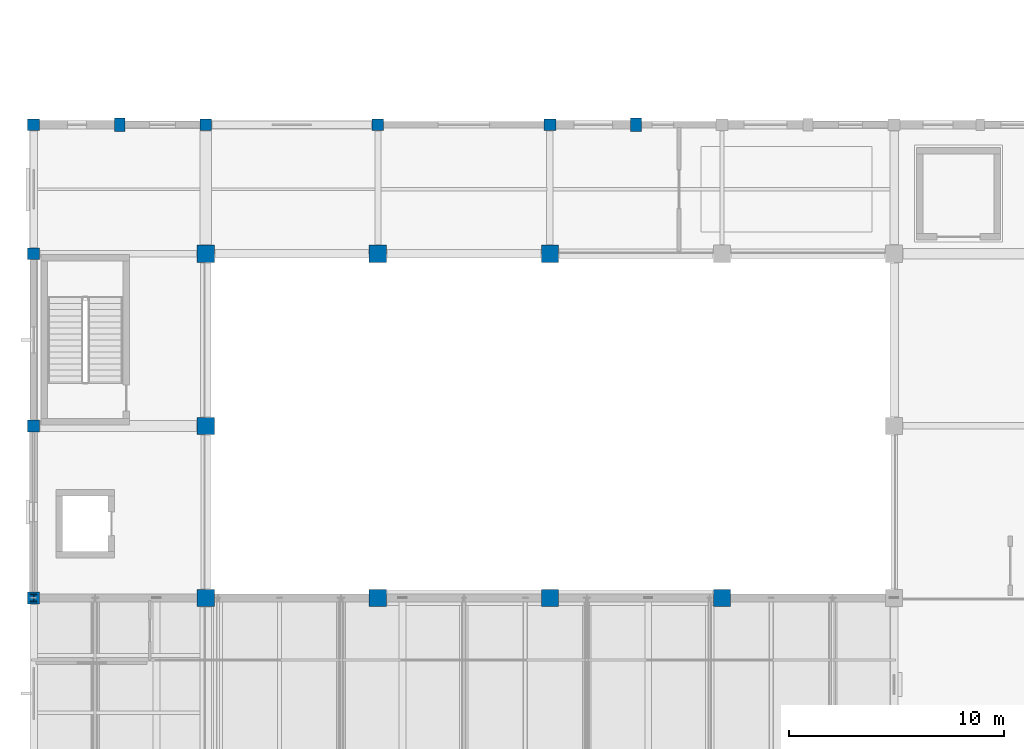
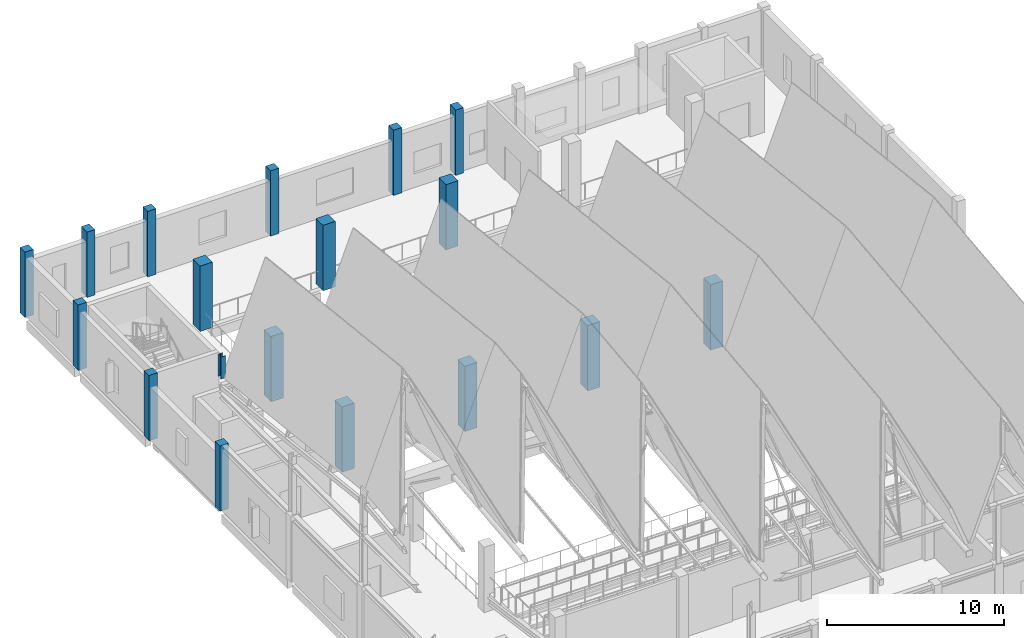
# One storey, part 5 of 77: 18 columns.
"""IFC4 building model written with IfcOpenShell, lengths in metres."""

import ifcopenshell
import ifcopenshell.guid

model = None  # the IFC model being written
_history = None  # IfcOwnerHistory: only IFC2X3 demands one
_inside = {}  # id of a spatial element -> (the spatial element, [elements in it])
_under = {}  # id of a project, library or spatial element -> (it, [spatial elements below it])
_declared = {}  # id of a project -> (the project, [libraries it declares])
_typed = {}  # id of a type object -> (the type object, [elements of that type])
_made_of = {}  # id of a material, layer set ... -> (it, [elements and type objects made of it])


def new_model(schema):
    """Start an empty IFC model of exactly this schema.

    Asked for "IFC4X3", IfcOpenShell would pick the latest addendum, in which some entities
    have other attributes; the version numbers below select the first issue.
    IFC2X3 requires an IfcOwnerHistory on every rooted entity: one is made here for all.
    """
    global model, _history
    if schema == "IFC4X3":
        model = ifcopenshell.file(schema_version=(4, 3, 0, 0))
    else:
        model = ifcopenshell.file(schema=schema)
    _inside.clear()
    _under.clear()
    _declared.clear()
    _typed.clear()
    _made_of.clear()
    _history = None
    if model.schema == "IFC2X3":
        org = make("IfcOrganization", Name="unknown")
        user = make(
            "IfcPersonAndOrganization",
            ThePerson=make("IfcPerson", FamilyName="unknown"),
            TheOrganization=org,
        )
        app = make(
            "IfcApplication",
            ApplicationDeveloper=org,
            Version="unknown",
            ApplicationFullName="unknown",
            ApplicationIdentifier="unknown",
        )
        _history = make(
            "IfcOwnerHistory",
            OwningUser=user,
            OwningApplication=app,
            ChangeAction="ADDED",
            CreationDate=0,
        )
    return model


def make(cls, **values):
    """One entity of the class cls with the attributes given. An attribute that is None is left unset."""
    return model.create_entity(
        cls, **{name: value for name, value in values.items() if value is not None}
    )


def rooted(cls, **values):
    """An entity with a GlobalId (a new one), such as an element, a storey or a relation."""
    return make(cls, GlobalId=ifcopenshell.guid.new(), OwnerHistory=_history, **values)


def si_unit(unit_type, name, prefix=None):
    """IfcSIUnit, for example si_unit("LENGTHUNIT", "METRE", prefix="MILLI")."""
    return make("IfcSIUnit", UnitType=unit_type, Prefix=prefix, Name=name)


def assignment(units):
    """IfcUnitAssignment: the units of a project."""
    return None if units is None else make("IfcUnitAssignment", Units=units)


def point(xyz):
    """IfcCartesianPoint."""
    return None if xyz is None else make("IfcCartesianPoint", Coordinates=xyz)


def direction(xyz):
    """IfcDirection."""
    return None if xyz is None else make("IfcDirection", DirectionRatios=xyz)


def frame(location, z_axis=None, x_axis=None):
    """IfcAxis2Placement3D, a coordinate frame: its origin and axes. An axis left out is left unset."""
    return make(
        "IfcAxis2Placement3D",
        Location=point(location),
        Axis=direction(z_axis),
        RefDirection=direction(x_axis),
    )


def frame_2d(location, x_axis=None):
    """IfcAxis2Placement2D, a coordinate frame in the plane: its origin and x axis."""
    return make(
        "IfcAxis2Placement2D", Location=point(location), RefDirection=direction(x_axis)
    )


def origin():
    """The frame at (0, 0, 0) with its axes left unset."""
    return frame((0.0, 0.0, 0.0))


def origin_2d():
    """The frame at (0, 0) in the plane with its x axis left unset."""
    return frame_2d((0.0, 0.0))


def place(relative_to, where):
    """IfcLocalPlacement: puts the frame where relative to a parent placement (None: the world)."""
    return make(
        "IfcLocalPlacement", PlacementRelTo=relative_to, RelativePlacement=where
    )


def context(
    kind, dimensions, precision=None, world=None, true_north=None, identifier=None
):
    """IfcGeometricRepresentationContext, for example the 3D "Model" context."""
    return make(
        "IfcGeometricRepresentationContext",
        ContextIdentifier=identifier,
        ContextType=kind,
        CoordinateSpaceDimension=dimensions,
        Precision=precision,
        WorldCoordinateSystem=world,
        TrueNorth=true_north,
    )


def subcontext(parent, identifier, kind, view, scale=None):
    """IfcGeometricRepresentationSubContext, for example "Body" below "Model"."""
    return make(
        "IfcGeometricRepresentationSubContext",
        ContextIdentifier=identifier,
        ContextType=kind,
        ParentContext=parent,
        TargetScale=scale,
        TargetView=view,
    )


def project(units=None, contexts=None):
    """IfcProject with its units and contexts."""
    return rooted(
        "IfcProject",
        Name="project",
        RepresentationContexts=contexts,
        UnitsInContext=assignment(units),
    )


def spatial(cls, under=None, at=None, **own):
    """A site, building, storey or space (cls), placed at a placement, below another one or the project."""
    s = rooted(cls, ObjectPlacement=at, **own)
    if under is not None:
        _under.setdefault(under.id(), (under, []))[1].append(s)
    return s


def profile(cls, at=None, kind="AREA", **sizes):
    """A parametric profile (cls). Its sizes go by their IFC names, for example OverallWidth=200.0."""
    return make(cls, ProfileType=kind, Position=at, **sizes)


def rectangle(**sizes):
    """IfcRectangleProfileDef."""
    return profile("IfcRectangleProfileDef", **sizes)


def i_section(**sizes):
    """IfcIShapeProfileDef."""
    return profile("IfcIShapeProfileDef", **sizes)


def extrude(swept, where, along, depth):
    """IfcExtrudedAreaSolid: the profile swept, set in the frame where, extruded along a direction by depth."""
    return make(
        "IfcExtrudedAreaSolid",
        SweptArea=swept,
        Position=where,
        ExtrudedDirection=direction(along),
        Depth=depth,
    )


def shape(context_of_items, identifier, shape_type, items):
    """IfcShapeRepresentation: the items that make up one representation, for example the "Body"."""
    return make(
        "IfcShapeRepresentation",
        ContextOfItems=context_of_items,
        RepresentationIdentifier=identifier,
        RepresentationType=shape_type,
        Items=items,
    )


def material(Name=None, Category=None):
    """IfcMaterial."""
    return make("IfcMaterial", Name=Name, Category=Category)


def material_profile(
    of_material, cross_section, Name=None, Category=None, Priority=None
):
    """IfcMaterialProfile: a cross section and its material."""
    return make(
        "IfcMaterialProfile",
        Name=Name,
        Material=of_material,
        Profile=cross_section,
        Priority=Priority,
        Category=Category,
    )


def profile_set(profiles, Name=None, composite=None):
    """IfcMaterialProfileSet."""
    return make(
        "IfcMaterialProfileSet",
        Name=Name,
        MaterialProfiles=profiles,
        CompositeProfile=composite,
    )


def made_of(thing, what):
    """Note that an element or type object is made of a material, layer set ...; save() writes the relation."""
    if what is not None:
        _made_of.setdefault(what.id(), (what, []))[1].append(thing)
    return thing


def type_object(cls, material=None, **own):
    """A type object (cls), such as IfcWallType, which elements share."""
    return made_of(rooted(cls, **own), material)


def element(
    cls,
    number,
    at=None,
    inside=None,
    cuts=None,
    type_object=None,
    material=None,
    context=None,
    identifier="Body",
    shape_type=None,
    held_by="IfcProductDefinitionShape",
    body=None,
    shapes=None,
    **own,
):
    """One element of the class cls, such as IfcWall. Its Tag is "e" and its number.

    at: its placement. inside: the storey or other place that contains it. cuts: it is an
    opening in that element (IfcRelVoidsElement). A single representation is given by context,
    identifier, shape_type and body (its items); several are given by shapes. held_by: the class
    of the entity that holds the representations. save() writes the other relations.
    """
    e = rooted(cls, Tag="e%d" % number, ObjectPlacement=at, **own)
    if body is not None:
        shapes = [shape(context, identifier, shape_type, body)]
    if shapes is not None:
        e.Representation = make(held_by, Representations=shapes)
    if inside is not None:
        _inside.setdefault(inside.id(), (inside, []))[1].append(e)
    if cuts is not None:
        rooted(
            "IfcRelVoidsElement", RelatingBuildingElement=cuts, RelatedOpeningElement=e
        )
    if type_object is not None:
        _typed.setdefault(type_object.id(), (type_object, []))[1].append(e)
    return made_of(e, material)


def aggregate(whole, parts):
    """IfcRelAggregates: a whole, such as a stair, and the parts it consists of."""
    return rooted("IfcRelAggregates", RelatingObject=whole, RelatedObjects=parts)


def save(model, path):
    """Write the relations noted so far, then the file.

    IfcRelAggregates (storeys below a building ...), IfcRelContainedInSpatialStructure (elements
    in a storey), IfcRelDefinesByType, IfcRelAssociatesMaterial and IfcRelDeclares: one each for
    every whole, place, type object, material and project.
    """
    for whole, parts in _under.values():
        aggregate(whole, parts)
    for where, things in _inside.values():
        rooted(
            "IfcRelContainedInSpatialStructure",
            RelatedElements=things,
            RelatingStructure=where,
        )
    for kind, things in _typed.values():
        rooted("IfcRelDefinesByType", RelatedObjects=things, RelatingType=kind)
    for what, things in _made_of.values():
        rooted("IfcRelAssociatesMaterial", RelatedObjects=things, RelatingMaterial=what)
    for by, libraries in _declared.values():
        rooted("IfcRelDeclares", RelatingContext=by, RelatedDefinitions=libraries)
    model.write(path)


model = new_model("IFC4")

# Units and contexts
model_context = context("Model", 3, precision=1e-05, world=origin(), true_north=direction((0.0, 1.0)))
body_context = subcontext(model_context, "Body", "Model", "MODEL_VIEW")
ifc_project = project(units=[si_unit("LENGTHUNIT", "METRE"), si_unit("AREAUNIT", "SQUARE_METRE"), si_unit("VOLUMEUNIT", "CUBIC_METRE"), si_unit("PLANEANGLEUNIT", "RADIAN"), si_unit("MASSUNIT", "GRAM", prefix="KILO")], contexts=[model_context])

# Site, building, storey
site_placement = place(None, origin())
site = spatial("IfcSite", under=ifc_project, at=site_placement, CompositionType="ELEMENT")
building_placement = place(site_placement, origin())
building = spatial("IfcBuilding", under=site, at=building_placement, Name="Luwemba Playhouse", CompositionType="ELEMENT")
storey_placement = place(building_placement, frame((0.0, 0.0, 9.300048828125)))
storey = spatial("IfcBuildingStorey", under=building, at=storey_placement, Name="L02", CompositionType="ELEMENT", Elevation=9.300048828125)

# Columns
ifc_material_1 = material(Name="Concrete C40/50", Category="concrete")
ifc_material_profile_1 = material_profile(ifc_material_1, rectangle(XDim=0.550048828125, YDim=0.550048828125, at=origin_2d()))
ifc_profile_set_1 = profile_set([ifc_material_profile_1], Name="Concrete C40/50")
column_type_1 = type_object("IfcColumnType", Name="COL-C03", PredefinedType="COLUMN", material=ifc_profile_set_1)
for number, where, z_axis, x_axis, name in (
    (1, (4.0, 68.0, 0.0), (0.0, 0.0, 1.0), (1.0, 0.0, 0.0), "L02 column 009"),
    (2, (4.0, 76.0, 0.0), (0.0, 0.0, 1.0), (1.0, 0.0, 0.0), "L02 column 010"),
    (3, (4.0, 84.0, 0.0), (0.0, 0.0, 1.0), (1.0, 0.0, 0.0), "L02 column 011"),
    (4, (4.0, 90.0, 0.0), (0.0, 0.0, 1.0), (1.0, 0.0, 0.0), "L02 column 012"),
    (5, (12.0, 90.0, 0.0), (0.0, 0.0, 1.0), (1.0, 0.0, 0.0), "L02 column 033"),
    (6, (20.0, 90.0, 0.0), (0.0, 0.0, 1.0), (1.0, 0.0, 0.0), "L02 column 049"),
    (7, (28.0, 90.0, 0.0), (0.0, 0.0, 1.0), (1.0, 0.0, 0.0), "L02 column 065"),
):
    element("IfcColumn", number, at=place(storey_placement, frame(where, z_axis=z_axis, x_axis=x_axis)), inside=storey, type_object=column_type_1, Name=name, PredefinedType="COLUMN", context=body_context, shape_type="SweptSolid", body=[
        extrude(rectangle(XDim=0.550048828125, YDim=0.550048828125, at=origin_2d()), origin(), (0.0, 0.0, 1.0), 4.5),
    ])
ifc_material_profile_2 = material_profile(ifc_material_1, rectangle(XDim=0.800048828125, YDim=0.800048828125, at=origin_2d()))
ifc_profile_set_2 = profile_set([ifc_material_profile_2], Name="Concrete C40/50")
column_type_2 = type_object("IfcColumnType", Name="COL-C08", PredefinedType="COLUMN", material=ifc_profile_set_2)
for number, where, z_axis, x_axis, name in (
    (8, (12.0, 68.0, 0.0), (0.0, 0.0, 1.0), (1.0, 0.0, 0.0), "L02 column 030"),
    (9, (12.0, 76.0, 0.0), (0.0, 0.0, 1.0), (1.0, 0.0, 0.0), "L02 column 031"),
    (10, (12.0, 84.0, 0.0), (0.0, 0.0, 1.0), (1.0, 0.0, 0.0), "L02 column 032"),
    (11, (20.0, 68.0, 0.0), (0.0, 0.0, 1.0), (1.0, 0.0, 0.0), "L02 column 047"),
    (12, (20.0, 84.0, 0.0), (0.0, 0.0, 1.0), (1.0, 0.0, 0.0), "L02 column 048"),
    (13, (28.0, 68.0, 0.0), (0.0, 0.0, 1.0), (1.0, 0.0, 0.0), "L02 column 063"),
    (14, (28.0, 84.0, 0.0), (0.0, 0.0, 1.0), (1.0, 0.0, 0.0), "L02 column 064"),
    (15, (36.0, 68.0, 0.0), (0.0, 0.0, 1.0), (1.0, 0.0, 0.0), "L02 column 081"),
):
    element("IfcColumn", number, at=place(storey_placement, frame(where, z_axis=z_axis, x_axis=x_axis)), inside=storey, type_object=column_type_2, Name=name, PredefinedType="COLUMN", context=body_context, shape_type="SweptSolid", body=[
        extrude(rectangle(XDim=0.800048828125, YDim=0.800048828125, at=origin_2d()), origin(), (0.0, 0.0, 1.0), 4.5),
    ])
ifc_material_profile_3 = material_profile(ifc_material_1, rectangle(XDim=0.5, YDim=0.64990234375, at=origin_2d()))
ifc_profile_set_3 = profile_set([ifc_material_profile_3], Name="Concrete C40/50")
column_type_3 = type_object("IfcColumnType", Name="COL-PIL3", PredefinedType="PILASTER", material=ifc_profile_set_3)
for number, where, z_axis, x_axis, name in (
    (16, (8.0, 90.0, 0.0), (0.0, 0.0, 1.0), (1.0, 0.0, 0.0), "L02 column 019"),
    (17, (32.0, 90.0, 0.0), (0.0, 0.0, 1.0), (1.0, 0.0, 0.0), "L02 column 072"),
):
    element("IfcColumn", number, at=place(storey_placement, frame(where, z_axis=z_axis, x_axis=x_axis)), inside=storey, type_object=column_type_3, Name=name, PredefinedType="PILASTER", context=body_context, shape_type="SweptSolid", body=[
        extrude(rectangle(XDim=0.5, YDim=0.64990234375, at=origin_2d()), origin(), (0.0, 0.0, 1.0), 4.5),
    ])
ifc_material_2 = material(Name="Steel S355", Category="steel")
ifc_material_profile_4 = material_profile(ifc_material_2, i_section(OverallWidth=0.300048828125, OverallDepth=0.340087890625, WebThickness=0.011962890625, FlangeThickness=0.021484375, FilletRadius=0.027099609375, at=origin_2d()))
ifc_profile_set_4 = profile_set([ifc_material_profile_4], Name="Steel S355")
column_type_4 = type_object("IfcColumnType", Name="COL-SC2", PredefinedType="COLUMN", material=ifc_profile_set_4)
column_placement = place(storey_placement, frame((4.0, 68.0, 9.0), z_axis=(0.0, 0.0, 1.0), x_axis=(1.0, 0.0, 0.0)))
element("IfcColumn", 18, at=column_placement, inside=storey, type_object=column_type_4, Name="RF-V1 north corner apex stub", PredefinedType="COLUMN", context=body_context, shape_type="SweptSolid", body=[
    extrude(i_section(OverallWidth=0.300048828125, OverallDepth=0.340087890625, WebThickness=0.011962890625, FlangeThickness=0.021484375, FilletRadius=0.027099609375, at=origin_2d()), origin(), (0.0, 0.0, 1.0), 1.5146484375),
])

save(model, "model.ifc")
